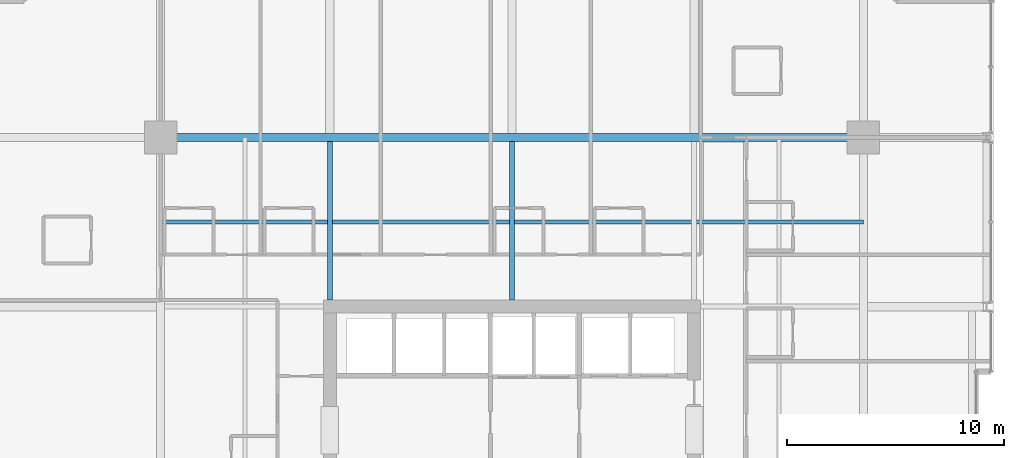
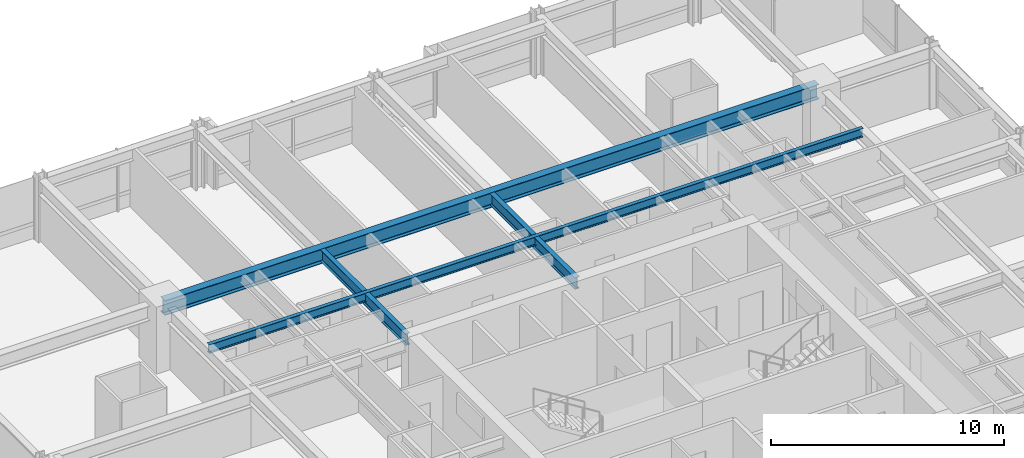
# One storey, part 19 of 35: 4 beams.
"""IFC4 building model written with IfcOpenShell, lengths in metres."""

import ifcopenshell
import ifcopenshell.guid

model = None  # the IFC model being written
_history = None  # IfcOwnerHistory: only IFC2X3 demands one
_inside = {}  # id of a spatial element -> (the spatial element, [elements in it])
_under = {}  # id of a project, library or spatial element -> (it, [spatial elements below it])
_declared = {}  # id of a project -> (the project, [libraries it declares])
_typed = {}  # id of a type object -> (the type object, [elements of that type])
_made_of = {}  # id of a material, layer set ... -> (it, [elements and type objects made of it])


def new_model(schema):
    """Start an empty IFC model of exactly this schema.

    Asked for "IFC4X3", IfcOpenShell would pick the latest addendum, in which some entities
    have other attributes; the version numbers below select the first issue.
    IFC2X3 requires an IfcOwnerHistory on every rooted entity: one is made here for all.
    """
    global model, _history
    if schema == "IFC4X3":
        model = ifcopenshell.file(schema_version=(4, 3, 0, 0))
    else:
        model = ifcopenshell.file(schema=schema)
    _inside.clear()
    _under.clear()
    _declared.clear()
    _typed.clear()
    _made_of.clear()
    _history = None
    if model.schema == "IFC2X3":
        org = make("IfcOrganization", Name="unknown")
        user = make(
            "IfcPersonAndOrganization",
            ThePerson=make("IfcPerson", FamilyName="unknown"),
            TheOrganization=org,
        )
        app = make(
            "IfcApplication",
            ApplicationDeveloper=org,
            Version="unknown",
            ApplicationFullName="unknown",
            ApplicationIdentifier="unknown",
        )
        _history = make(
            "IfcOwnerHistory",
            OwningUser=user,
            OwningApplication=app,
            ChangeAction="ADDED",
            CreationDate=0,
        )
    return model


def make(cls, **values):
    """One entity of the class cls with the attributes given. An attribute that is None is left unset."""
    return model.create_entity(
        cls, **{name: value for name, value in values.items() if value is not None}
    )


def rooted(cls, **values):
    """An entity with a GlobalId (a new one), such as an element, a storey or a relation."""
    return make(cls, GlobalId=ifcopenshell.guid.new(), OwnerHistory=_history, **values)


def si_unit(unit_type, name, prefix=None):
    """IfcSIUnit, for example si_unit("LENGTHUNIT", "METRE", prefix="MILLI")."""
    return make("IfcSIUnit", UnitType=unit_type, Prefix=prefix, Name=name)


def assignment(units):
    """IfcUnitAssignment: the units of a project."""
    return None if units is None else make("IfcUnitAssignment", Units=units)


def point(xyz):
    """IfcCartesianPoint."""
    return None if xyz is None else make("IfcCartesianPoint", Coordinates=xyz)


def direction(xyz):
    """IfcDirection."""
    return None if xyz is None else make("IfcDirection", DirectionRatios=xyz)


def frame(location, z_axis=None, x_axis=None):
    """IfcAxis2Placement3D, a coordinate frame: its origin and axes. An axis left out is left unset."""
    return make(
        "IfcAxis2Placement3D",
        Location=point(location),
        Axis=direction(z_axis),
        RefDirection=direction(x_axis),
    )


def frame_2d(location, x_axis=None):
    """IfcAxis2Placement2D, a coordinate frame in the plane: its origin and x axis."""
    return make(
        "IfcAxis2Placement2D", Location=point(location), RefDirection=direction(x_axis)
    )


def origin():
    """The frame at (0, 0, 0) with its axes left unset."""
    return frame((0.0, 0.0, 0.0))


def origin_2d():
    """The frame at (0, 0) in the plane with its x axis left unset."""
    return frame_2d((0.0, 0.0))


def place(relative_to, where):
    """IfcLocalPlacement: puts the frame where relative to a parent placement (None: the world)."""
    return make(
        "IfcLocalPlacement", PlacementRelTo=relative_to, RelativePlacement=where
    )


def context(
    kind, dimensions, precision=None, world=None, true_north=None, identifier=None
):
    """IfcGeometricRepresentationContext, for example the 3D "Model" context."""
    return make(
        "IfcGeometricRepresentationContext",
        ContextIdentifier=identifier,
        ContextType=kind,
        CoordinateSpaceDimension=dimensions,
        Precision=precision,
        WorldCoordinateSystem=world,
        TrueNorth=true_north,
    )


def subcontext(parent, identifier, kind, view, scale=None):
    """IfcGeometricRepresentationSubContext, for example "Body" below "Model"."""
    return make(
        "IfcGeometricRepresentationSubContext",
        ContextIdentifier=identifier,
        ContextType=kind,
        ParentContext=parent,
        TargetScale=scale,
        TargetView=view,
    )


def project(units=None, contexts=None):
    """IfcProject with its units and contexts."""
    return rooted(
        "IfcProject",
        Name="project",
        RepresentationContexts=contexts,
        UnitsInContext=assignment(units),
    )


def spatial(cls, under=None, at=None, **own):
    """A site, building, storey or space (cls), placed at a placement, below another one or the project."""
    s = rooted(cls, ObjectPlacement=at, **own)
    if under is not None:
        _under.setdefault(under.id(), (under, []))[1].append(s)
    return s


def profile(cls, at=None, kind="AREA", **sizes):
    """A parametric profile (cls). Its sizes go by their IFC names, for example OverallWidth=200.0."""
    return make(cls, ProfileType=kind, Position=at, **sizes)


def i_section(**sizes):
    """IfcIShapeProfileDef."""
    return profile("IfcIShapeProfileDef", **sizes)


def extrude(swept, where, along, depth):
    """IfcExtrudedAreaSolid: the profile swept, set in the frame where, extruded along a direction by depth."""
    return make(
        "IfcExtrudedAreaSolid",
        SweptArea=swept,
        Position=where,
        ExtrudedDirection=direction(along),
        Depth=depth,
    )


def shape(context_of_items, identifier, shape_type, items):
    """IfcShapeRepresentation: the items that make up one representation, for example the "Body"."""
    return make(
        "IfcShapeRepresentation",
        ContextOfItems=context_of_items,
        RepresentationIdentifier=identifier,
        RepresentationType=shape_type,
        Items=items,
    )


def material(Name=None, Category=None):
    """IfcMaterial."""
    return make("IfcMaterial", Name=Name, Category=Category)


def material_profile(
    of_material, cross_section, Name=None, Category=None, Priority=None
):
    """IfcMaterialProfile: a cross section and its material."""
    return make(
        "IfcMaterialProfile",
        Name=Name,
        Material=of_material,
        Profile=cross_section,
        Priority=Priority,
        Category=Category,
    )


def profile_set(profiles, Name=None, composite=None):
    """IfcMaterialProfileSet."""
    return make(
        "IfcMaterialProfileSet",
        Name=Name,
        MaterialProfiles=profiles,
        CompositeProfile=composite,
    )


def made_of(thing, what):
    """Note that an element or type object is made of a material, layer set ...; save() writes the relation."""
    if what is not None:
        _made_of.setdefault(what.id(), (what, []))[1].append(thing)
    return thing


def type_object(cls, material=None, **own):
    """A type object (cls), such as IfcWallType, which elements share."""
    return made_of(rooted(cls, **own), material)


def element(
    cls,
    number,
    at=None,
    inside=None,
    cuts=None,
    type_object=None,
    material=None,
    context=None,
    identifier="Body",
    shape_type=None,
    held_by="IfcProductDefinitionShape",
    body=None,
    shapes=None,
    **own,
):
    """One element of the class cls, such as IfcWall. Its Tag is "e" and its number.

    at: its placement. inside: the storey or other place that contains it. cuts: it is an
    opening in that element (IfcRelVoidsElement). A single representation is given by context,
    identifier, shape_type and body (its items); several are given by shapes. held_by: the class
    of the entity that holds the representations. save() writes the other relations.
    """
    e = rooted(cls, Tag="e%d" % number, ObjectPlacement=at, **own)
    if body is not None:
        shapes = [shape(context, identifier, shape_type, body)]
    if shapes is not None:
        e.Representation = make(held_by, Representations=shapes)
    if inside is not None:
        _inside.setdefault(inside.id(), (inside, []))[1].append(e)
    if cuts is not None:
        rooted(
            "IfcRelVoidsElement", RelatingBuildingElement=cuts, RelatedOpeningElement=e
        )
    if type_object is not None:
        _typed.setdefault(type_object.id(), (type_object, []))[1].append(e)
    return made_of(e, material)


def aggregate(whole, parts):
    """IfcRelAggregates: a whole, such as a stair, and the parts it consists of."""
    return rooted("IfcRelAggregates", RelatingObject=whole, RelatedObjects=parts)


def save(model, path):
    """Write the relations noted so far, then the file.

    IfcRelAggregates (storeys below a building ...), IfcRelContainedInSpatialStructure (elements
    in a storey), IfcRelDefinesByType, IfcRelAssociatesMaterial and IfcRelDeclares: one each for
    every whole, place, type object, material and project.
    """
    for whole, parts in _under.values():
        aggregate(whole, parts)
    for where, things in _inside.values():
        rooted(
            "IfcRelContainedInSpatialStructure",
            RelatedElements=things,
            RelatingStructure=where,
        )
    for kind, things in _typed.values():
        rooted("IfcRelDefinesByType", RelatedObjects=things, RelatingType=kind)
    for what, things in _made_of.values():
        rooted("IfcRelAssociatesMaterial", RelatedObjects=things, RelatingMaterial=what)
    for by, libraries in _declared.values():
        rooted("IfcRelDeclares", RelatingContext=by, RelatedDefinitions=libraries)
    model.write(path)


model = new_model("IFC4")

# Units and contexts
model_context = context("Model", 3, precision=1e-05, world=origin(), true_north=direction((0.0, 1.0)))
body_context = subcontext(model_context, "Body", "Model", "MODEL_VIEW")
ifc_project = project(units=[si_unit("LENGTHUNIT", "METRE"), si_unit("AREAUNIT", "SQUARE_METRE"), si_unit("VOLUMEUNIT", "CUBIC_METRE"), si_unit("PLANEANGLEUNIT", "RADIAN"), si_unit("MASSUNIT", "GRAM", prefix="KILO")], contexts=[model_context])

# Site, building, storey
site_placement = place(None, origin())
site = spatial("IfcSite", under=ifc_project, at=site_placement, CompositionType="ELEMENT")
building_placement = place(site_placement, origin())
building = spatial("IfcBuilding", under=site, at=building_placement, Name="Drelvath Grand Hotel", CompositionType="ELEMENT")
storey_placement = place(building_placement, frame((0.0, 0.0, 98.800048828125)))
storey = spatial("IfcBuildingStorey", under=building, at=storey_placement, Name="L24", CompositionType="ELEMENT", Elevation=98.800048828125)

# Beams
ifc_material = material(Name="Steel ASTM A992 Gr 50", Category="steel")
ifc_material_profile_1 = material_profile(ifc_material, i_section(OverallWidth=0.19140625, OverallDepth=0.4599609375, WebThickness=0.010009765625, FlangeThickness=0.01611328125, FilletRadius=0.01611328125, at=origin_2d()), Name="W18X55")
ifc_profile_set_1 = profile_set([ifc_material_profile_1], Name="Steel ASTM A992 Gr 50")
beam_type_1 = type_object("IfcBeamType", Name="Composite Floor Joist W18X55", PredefinedType="JOIST", material=ifc_profile_set_1)
beam_1_placement = place(storey_placement, frame((-16.199951171875, 39.300048828125, 3.010009765625), z_axis=(1.0, 0.0, 0.0), x_axis=(0.0, 1.0, 0.0)))
element("IfcBeam", 1, at=beam_1_placement, inside=storey, type_object=beam_type_1, Name="L24 Floor Joist J2", PredefinedType="JOIST", context=body_context, shape_type="SweptSolid", body=[
    extrude(i_section(OverallWidth=0.19140625, OverallDepth=0.4599609375, WebThickness=0.010009765625, FlangeThickness=0.01611328125, FilletRadius=0.01611328125, at=origin_2d()), origin(), (0.0, 0.0, 1.0), 32.39990234375),
])
ifc_material_profile_2 = material_profile(ifc_material, i_section(OverallWidth=0.228271484375, OverallDepth=0.607666015625, WebThickness=0.01123046875, FlangeThickness=0.017333984375, FilletRadius=0.02001953125, at=origin_2d()), Name="W24X76")
ifc_profile_set_2 = profile_set([ifc_material_profile_2], Name="Steel ASTM A992 Gr 50")
beam_type_2 = type_object("IfcBeamType", Name="Primary Floor Girder W24X76", PredefinedType="BEAM", material=ifc_profile_set_2)
for number, where, z_axis, x_axis, name in (
    (2, (-8.39990234375, 35.699951171875, 2.93603515625), (0.0, 1.0, 0.0), (-1.0, 0.0, 0.0), "L24 North Core Tie 4"),
    (3, (0.0, 35.699951171875, 2.93603515625), (0.0, 1.0, 0.0), (-1.0, 0.0, 0.0), "L24 North Core Tie 5"),
):
    element("IfcBeam", number, at=place(storey_placement, frame(where, z_axis=z_axis, x_axis=x_axis)), inside=storey, type_object=beam_type_2, Name=name, PredefinedType="BEAM", context=body_context, shape_type="SweptSolid", body=[
        extrude(i_section(OverallWidth=0.228271484375, OverallDepth=0.607666015625, WebThickness=0.01123046875, FlangeThickness=0.017333984375, FilletRadius=0.02001953125, at=origin_2d()), origin(), (0.0, 0.0, 1.0), 7.309814453125),
    ])
ifc_material_profile_3 = material_profile(ifc_material, i_section(OverallWidth=0.380615234375, OverallDepth=0.773193359375, WebThickness=0.0166015625, FlangeThickness=0.027099609375, FilletRadius=0.02490234375, at=origin_2d()), Name="W30X173")
ifc_profile_set_3 = profile_set([ifc_material_profile_3], Name="Steel ASTM A992 Gr 50")
beam_type_3 = type_object("IfcBeamType", Name="Primary Floor Girder W30X173", PredefinedType="BEAM", material=ifc_profile_set_3)
beam_2_placement = place(storey_placement, frame((-16.199951171875, 43.199951171875, 2.853271484375), z_axis=(1.0, 0.0, 0.0), x_axis=(0.0, 1.0, 0.0)))
element("IfcBeam", 4, at=beam_2_placement, inside=storey, type_object=beam_type_3, Name="L24 Mega Ring Girder North", PredefinedType="BEAM", context=body_context, shape_type="SweptSolid", body=[
    extrude(i_section(OverallWidth=0.380615234375, OverallDepth=0.773193359375, WebThickness=0.0166015625, FlangeThickness=0.027099609375, FilletRadius=0.02490234375, at=origin_2d()), origin(), (0.0, 0.0, 1.0), 32.39990234375),
])

save(model, "model.ifc")
